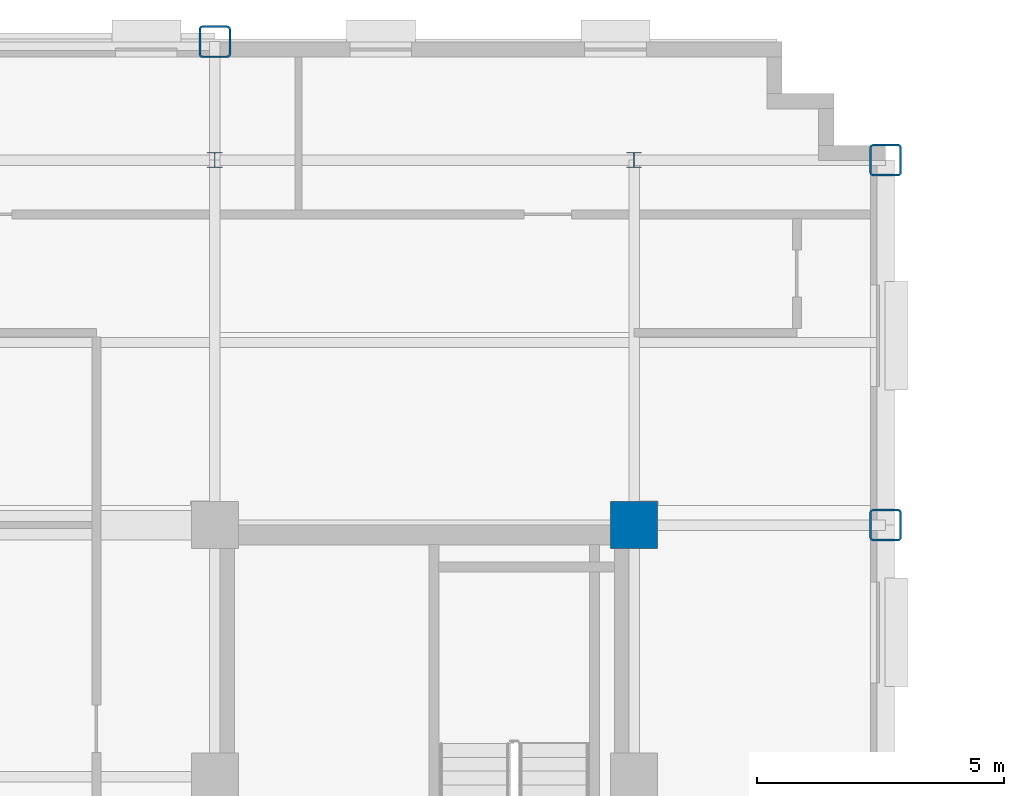
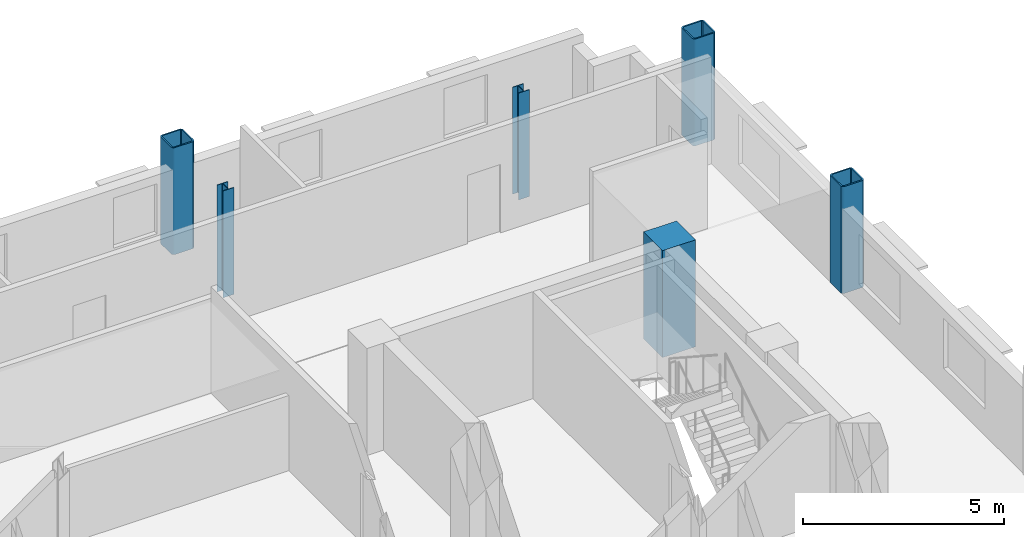
# One storey, part 4 of 14: 6 columns.
"""IFC4 building model written with IfcOpenShell, lengths in metres."""

from ifc_helpers import new_model, si_unit, direction, frame, origin, origin_2d, place, context, subcontext, project, spatial, rectangle, hollow_rectangle, i_section, extrude, material, material_profile, profile_set, type_object, element, save


model = new_model("IFC4")

# Units and contexts
model_context = context("Model", 3, precision=1e-05, world=origin(), true_north=direction((0.0, 1.0)))
body_context = subcontext(model_context, "Body", "Model", "MODEL_VIEW")
ifc_project = project(units=[si_unit("LENGTHUNIT", "METRE"), si_unit("AREAUNIT", "SQUARE_METRE"), si_unit("VOLUMEUNIT", "CUBIC_METRE"), si_unit("PLANEANGLEUNIT", "RADIAN"), si_unit("MASSUNIT", "GRAM", prefix="KILO")], contexts=[model_context])

# Site, building, storey
site_placement = place(None, origin())
site = spatial("IfcSite", under=ifc_project, at=site_placement, CompositionType="ELEMENT")
building_placement = place(site_placement, origin())
building = spatial("IfcBuilding", under=site, at=building_placement, Name="Nuvemarco Arch Tower", CompositionType="ELEMENT")
storey_placement = place(building_placement, frame((0.0, 0.0, 182.25)))
storey = spatial("IfcBuildingStorey", under=building, at=storey_placement, Name="L48", CompositionType="ELEMENT", Elevation=182.25)

# Columns
ifc_material_1 = material(Name="Concrete C50/60", Category="concrete")
ifc_material_profile_1 = material_profile(ifc_material_1, rectangle(XDim=0.949951171875, YDim=0.949951171875, at=origin_2d()), Name="RC-COL-950x950")
ifc_profile_set_1 = profile_set([ifc_material_profile_1], Name="Concrete C50/60")
column_type_1 = type_object("IfcColumnType", Name="COL-CORE-950", PredefinedType="COLUMN", material=ifc_profile_set_1)
column_placement = place(storey_placement, frame((17.5, 9.60009765625, 0.0), z_axis=(0.0, 0.0, 1.0), x_axis=(1.0, 0.0, 0.0)))
element("IfcColumn", 1, at=column_placement, inside=storey, type_object=column_type_1, Name="L48 column CC_+17.5_+9.6", PredefinedType="COLUMN", context=body_context, shape_type="SweptSolid", body=[
    extrude(rectangle(XDim=0.949951171875, YDim=0.949951171875, at=origin_2d()), origin(), (0.0, 0.0, 1.0), 3.25),
])
ifc_material_2 = material(Name="Steel S355", Category="steel")
ifc_material_profile_2 = material_profile(ifc_material_2, hollow_rectangle(XDim=0.64990234375, YDim=0.64990234375, WallThickness=0.0400390625, InnerFilletRadius=0.0400390625, OuterFilletRadius=0.080078125, at=origin_2d()), Name="SHS650x650x40")
ifc_profile_set_2 = profile_set([ifc_material_profile_2], Name="Steel S355")
column_type_2 = type_object("IfcColumnType", Name="COL-EXO-650", PredefinedType="COLUMN", material=ifc_profile_set_2)
for number, where, z_axis, x_axis, name in (
    (2, (22.60009765625, 9.60009765625, 0.0), (0.0, 0.0, 1.0), (1.0, 0.0, 0.0), "L48 column CX_+22.6_+9.6"),
    (3, (22.60009765625, 17.0, 0.0), (0.0, 0.0, 1.0), (1.0, 0.0, 0.0), "L48 column CX_+22.6_+17.0"),
    (4, (9.0, 19.39990234375, 0.0), (0.0, 0.0, 1.0), (1.0, 0.0, 0.0), "L48 column CY_+9.0_+19.4"),
):
    element("IfcColumn", number, at=place(storey_placement, frame(where, z_axis=z_axis, x_axis=x_axis)), inside=storey, type_object=column_type_2, Name=name, PredefinedType="COLUMN", context=body_context, shape_type="SweptSolid", body=[
        extrude(hollow_rectangle(XDim=0.64990234375, YDim=0.64990234375, WallThickness=0.0400390625, InnerFilletRadius=0.0400390625, OuterFilletRadius=0.080078125, at=origin_2d()), origin(), (0.0, 0.0, 1.0), 3.25),
    ])
ifc_material_profile_3 = material_profile(ifc_material_2, i_section(OverallWidth=0.31005859375, OverallDepth=0.31005859375, WebThickness=0.015380859375, FlangeThickness=0.015380859375, FilletRadius=0.014892578125, at=origin_2d()), Name="HP310x110")
ifc_profile_set_3 = profile_set([ifc_material_profile_3], Name="Steel S355")
column_type_3 = type_object("IfcColumnType", Name="COL-STL-HP310", PredefinedType="COLUMN", material=ifc_profile_set_3)
for number, where, z_axis, x_axis, name in (
    (5, (9.0, 17.0, 0.0), (0.0, 0.0, 1.0), (1.0, 0.0, 0.0), "L48 column CI_+9.0_+17.0"),
    (6, (17.5, 17.0, 0.0), (0.0, 0.0, 1.0), (1.0, 0.0, 0.0), "L48 column CI_+17.5_+17.0"),
):
    element("IfcColumn", number, at=place(storey_placement, frame(where, z_axis=z_axis, x_axis=x_axis)), inside=storey, type_object=column_type_3, Name=name, PredefinedType="COLUMN", context=body_context, shape_type="SweptSolid", body=[
        extrude(i_section(OverallWidth=0.31005859375, OverallDepth=0.31005859375, WebThickness=0.015380859375, FlangeThickness=0.015380859375, FilletRadius=0.014892578125, at=origin_2d()), origin(), (0.0, 0.0, 1.0), 3.25),
    ])

save(model, "model.ifc")
